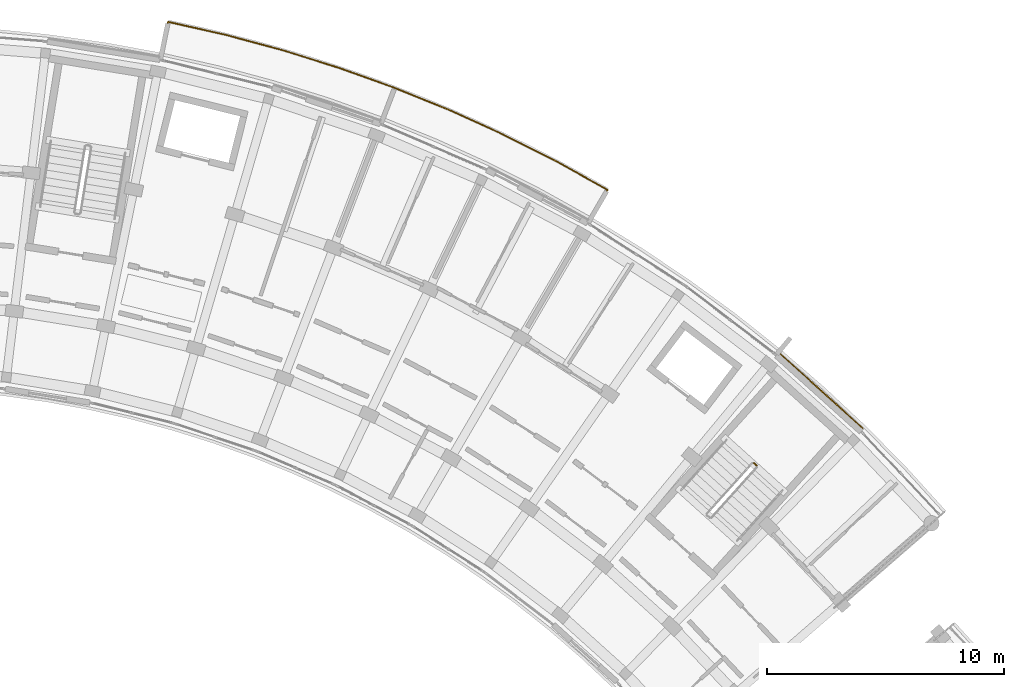
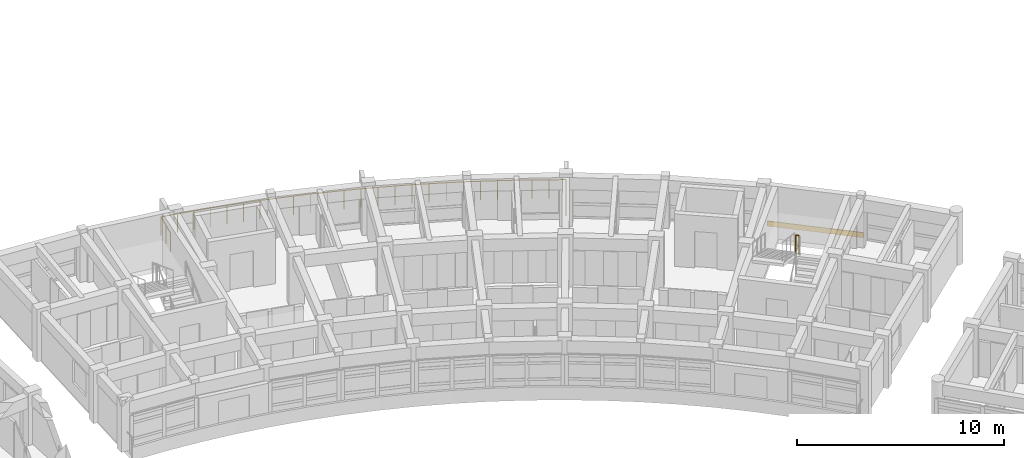
# One storey, part 50 of 50: 2 railings, 1 covering.
"""IFC4 building model written with IfcOpenShell, lengths in metres."""

from ifc_helpers import new_model, si_unit, direction, frame, origin, origin_2d, place, context, subcontext, project, spatial, rectangle, circle, extrude, material, layer, layer_set, type_object, element, save


model = new_model("IFC4")

# Units and contexts
model_context = context("Model", 3, precision=1e-05, world=origin(), true_north=direction((0.0, 1.0)))
body_context = subcontext(model_context, "Body", "Model", "MODEL_VIEW")
ifc_project = project(units=[si_unit("LENGTHUNIT", "METRE"), si_unit("AREAUNIT", "SQUARE_METRE"), si_unit("VOLUMEUNIT", "CUBIC_METRE"), si_unit("PLANEANGLEUNIT", "RADIAN"), si_unit("MASSUNIT", "GRAM", prefix="KILO")], contexts=[model_context])

# Site, building, storey
site_placement = place(None, origin())
site = spatial("IfcSite", under=ifc_project, at=site_placement, CompositionType="ELEMENT")
building_placement = place(site_placement, origin())
building = spatial("IfcBuilding", under=site, at=building_placement, Name="Zimvara Arc Housing Community", CompositionType="ELEMENT")
storey_placement = place(building_placement, frame((0.0, 0.0, 26.699951171875)))
storey = spatial("IfcBuildingStorey", under=building, at=storey_placement, Name="L08", CompositionType="ELEMENT", Elevation=26.699951171875)

# Covering
ifc_material_1 = material(Name="Pale-Gold Anodised Aluminium Cladding", Category="aluminium")
ifc_layer = layer(ifc_material_1, 0.0400390625)
ifc_layer_set = layer_set([ifc_layer], Name="Pale-Gold Anodised Aluminium Cladding")
covering_type = type_object("IfcCoveringType", Name="CLD-GOLD-01", PredefinedType="CLADDING", material=ifc_layer_set)
covering_placement = place(storey_placement, frame((84.7841796875, 88.7158203125, 0.01025390625), z_axis=(0.0, 0.0, 1.0), x_axis=(0.74337718344, -0.668872456557, 0.0)))
element("IfcCovering", 1, at=covering_placement, inside=storey, type_object=covering_type, Name="cld:blkB:L08:out:b8", PredefinedType="CLADDING", context=body_context, shape_type="SweptSolid", body=[
    extrude(rectangle(XDim=4.748779296875, YDim=0.0400390625, at=origin_2d()), origin(), (0.0, 0.0, 1.0), 0.300048828125),
])

# Railings
ifc_material_2 = material(Name="Anodised Aluminium AW-6063", Category="aluminium")
railing_type = type_object("IfcRailingType", Name="RLG-BAL-1120", PredefinedType="BALUSTRADE", material=ifc_material_2)
railing_1_placement = place(storey_placement, frame((56.933349609375, 102.842041015625, 0.0)))
element("IfcRailing", 2, at=railing_1_placement, inside=storey, type_object=railing_type, Name="rlg:blkB:L08:bal_out_guard", PredefinedType="BALUSTRADE", context=body_context, shape_type="SweptSolid", body=[
    extrude(circle(Radius=0.02392578125, at=origin_2d()), frame((0.0, 0.0, 1.09619140625), z_axis=(0.200457825929, 0.979702332356, 0.0), x_axis=(-0.979702332356, 0.200457825929, 0.0)), (0.0, 0.0, 1.0), 1.469970703125),
    extrude(circle(Radius=0.02392578125, at=origin_2d()), frame((0.294677734375, 1.440185546875, 1.09619140625), z_axis=(0.975422665062, -0.220342062447, 0.0), x_axis=(0.220342062447, 0.975422665062, 0.0)), (0.0, 0.0, 1.0), 2.491943359375),
    extrude(circle(Radius=0.02392578125, at=origin_2d()), frame((2.725341796875, 0.89111328125, 1.09619140625), z_axis=(0.965604406451, -0.260015634611, 0.0), x_axis=(0.260015634611, 0.965604406451, 0.0)), (0.0, 0.0, 1.0), 2.491943359375),
    extrude(circle(Radius=0.02392578125, at=origin_2d()), frame((5.131591796875, 0.2431640625, 1.09619140625), z_axis=(0.95418488811, -0.299217645373, 0.0), x_axis=(0.299217645373, 0.95418488811, 0.0)), (0.0, 0.0, 1.0), 2.491943359375),
    extrude(circle(Radius=0.02392578125, at=origin_2d()), frame((7.50927734375, -0.50244140625, 1.09619140625), z_axis=(0.94118428576, -0.337893681856, 0.0), x_axis=(0.337893681856, 0.94118428576, 0.0)), (0.0, 0.0, 1.0), 2.491943359375),
    extrude(circle(Radius=0.02392578125, at=origin_2d()), frame((9.854736328125, -1.344482421875, 1.09619140625), z_axis=(0.926613832847, -0.37601436778, 0.0), x_axis=(0.37601436778, 0.926613832847, 0.0)), (0.0, 0.0, 1.0), 2.491943359375),
    extrude(circle(Radius=0.02392578125, at=origin_2d()), frame((12.163818359375, -2.281494140625, 1.09619140625), z_axis=(0.910443630497, -0.413633165604, 0.0), x_axis=(0.413633165604, 0.910443630497, 0.0)), (0.0, 0.0, 1.0), 2.491943359375),
    extrude(circle(Radius=0.02392578125, at=origin_2d()), frame((14.4326171875, -3.312255859375, 1.09619140625), z_axis=(0.892834384016, -0.450385127107, 0.0), x_axis=(0.450385127107, 0.892834384016, 0.0)), (0.0, 0.0, 1.0), 2.491943359375),
    extrude(circle(Radius=0.02392578125, at=origin_2d()), frame((16.657470703125, -4.4345703125, 1.09619140625), z_axis=(0.873653060707, -0.486549411178, 0.0), x_axis=(0.486549411178, 0.873653060707, 0.0)), (0.0, 0.0, 1.0), 2.491943359375),
    extrude(circle(Radius=0.02392578125, at=origin_2d()), frame((18.83447265625, -5.64697265625, 1.09619140625), z_axis=(-0.50427373705, -0.863543859987, 0.0), x_axis=(0.863543859987, -0.50427373705, 0.0)), (0.0, 0.0, 1.0), 1.469970703125),
    extrude(circle(Radius=0.02099609375, at=origin_2d()), origin(), (0.0, 0.0, 1.0), 1.072021484375),
    extrude(circle(Radius=0.02099609375, at=origin_2d()), frame((0.1474609375, 0.72021484375, 0.0)), (0.0, 0.0, 1.0), 1.072021484375),
    extrude(circle(Radius=0.02099609375, at=origin_2d()), frame((0.294677734375, 1.440185546875, 0.0)), (0.0, 0.0, 1.0), 1.072021484375),
    extrude(circle(Radius=0.02099609375, at=origin_2d()), frame((1.10498046875, 1.257080078125, 0.0)), (0.0, 0.0, 1.0), 1.072021484375),
    extrude(circle(Radius=0.02099609375, at=origin_2d()), frame((1.9150390625, 1.07421875, 0.0)), (0.0, 0.0, 1.0), 1.072021484375),
    extrude(circle(Radius=0.02099609375, at=origin_2d()), frame((2.725341796875, 0.89111328125, 0.0)), (0.0, 0.0, 1.0), 1.072021484375),
    extrude(circle(Radius=0.02099609375, at=origin_2d()), frame((3.52734375, 0.675048828125, 0.0)), (0.0, 0.0, 1.0), 1.072021484375),
    extrude(circle(Radius=0.02099609375, at=origin_2d()), frame((4.32958984375, 0.459228515625, 0.0)), (0.0, 0.0, 1.0), 1.072021484375),
    extrude(circle(Radius=0.02099609375, at=origin_2d()), frame((5.131591796875, 0.2431640625, 0.0)), (0.0, 0.0, 1.0), 1.072021484375),
    extrude(circle(Radius=0.02099609375, at=origin_2d()), frame((5.924072265625, -0.00537109375, 0.0)), (0.0, 0.0, 1.0), 1.072021484375),
    extrude(circle(Radius=0.02099609375, at=origin_2d()), frame((6.716796875, -0.25390625, 0.0)), (0.0, 0.0, 1.0), 1.072021484375),
    extrude(circle(Radius=0.02099609375, at=origin_2d()), frame((7.50927734375, -0.50244140625, 0.0)), (0.0, 0.0, 1.0), 1.072021484375),
    extrude(circle(Radius=0.02099609375, at=origin_2d()), frame((8.291015625, -0.783203125, 0.0)), (0.0, 0.0, 1.0), 1.072021484375),
    extrude(circle(Radius=0.02099609375, at=origin_2d()), frame((9.072998046875, -1.063720703125, 0.0)), (0.0, 0.0, 1.0), 1.072021484375),
    extrude(circle(Radius=0.02099609375, at=origin_2d()), frame((9.854736328125, -1.344482421875, 0.0)), (0.0, 0.0, 1.0), 1.072021484375),
    extrude(circle(Radius=0.02099609375, at=origin_2d()), frame((10.62451171875, -1.65673828125, 0.0)), (0.0, 0.0, 1.0), 1.072021484375),
    extrude(circle(Radius=0.02099609375, at=origin_2d()), frame((11.39404296875, -1.96923828125, 0.0)), (0.0, 0.0, 1.0), 1.072021484375),
    extrude(circle(Radius=0.02099609375, at=origin_2d()), frame((12.163818359375, -2.281494140625, 0.0)), (0.0, 0.0, 1.0), 1.072021484375),
    extrude(circle(Radius=0.02099609375, at=origin_2d()), frame((12.920166015625, -2.625, 0.0)), (0.0, 0.0, 1.0), 1.072021484375),
    extrude(circle(Radius=0.02099609375, at=origin_2d()), frame((13.67626953125, -2.96875, 0.0)), (0.0, 0.0, 1.0), 1.072021484375),
    extrude(circle(Radius=0.02099609375, at=origin_2d()), frame((14.4326171875, -3.312255859375, 0.0)), (0.0, 0.0, 1.0), 1.072021484375),
    extrude(circle(Radius=0.02099609375, at=origin_2d()), frame((15.17431640625, -3.686279296875, 0.0)), (0.0, 0.0, 1.0), 1.072021484375),
    extrude(circle(Radius=0.02099609375, at=origin_2d()), frame((15.915771484375, -4.060546875, 0.0)), (0.0, 0.0, 1.0), 1.072021484375),
    extrude(circle(Radius=0.02099609375, at=origin_2d()), frame((16.657470703125, -4.4345703125, 0.0)), (0.0, 0.0, 1.0), 1.072021484375),
    extrude(circle(Radius=0.02099609375, at=origin_2d()), frame((17.383056640625, -4.838623046875, 0.0)), (0.0, 0.0, 1.0), 1.072021484375),
    extrude(circle(Radius=0.02099609375, at=origin_2d()), frame((18.10888671875, -5.242919921875, 0.0)), (0.0, 0.0, 1.0), 1.072021484375),
    extrude(circle(Radius=0.02099609375, at=origin_2d()), frame((18.83447265625, -5.64697265625, 0.0)), (0.0, 0.0, 1.0), 1.072021484375),
    extrude(circle(Radius=0.02099609375, at=origin_2d()), frame((18.4638671875, -6.28173828125, 0.0)), (0.0, 0.0, 1.0), 1.072021484375),
    extrude(circle(Radius=0.02099609375, at=origin_2d()), frame((18.09326171875, -6.916259765625, 0.0)), (0.0, 0.0, 1.0), 1.072021484375),
])
railing_2_placement = place(storey_placement, frame((82.05615234375, 85.564208984375, 1.550048828125)))
element("IfcRailing", 3, at=railing_2_placement, inside=storey, type_object=railing_type, Name="L08 ST-B2 stair guard 2", PredefinedType="BALUSTRADE", context=body_context, shape_type="SweptSolid", body=[
    extrude(circle(Radius=0.02392578125, at=origin_2d()), frame((0.0, 0.0, 1.09619140625), z_axis=(-0.744203407529, 0.667953058397, 0.0), x_axis=(-0.667953058397, -0.744203407529, 0.0)), (0.0, 0.0, 1.0), 0.16015625),
    extrude(circle(Radius=0.02099609375, at=origin_2d()), origin(), (0.0, 0.0, 1.0), 1.072021484375),
    extrude(circle(Radius=0.02099609375, at=origin_2d()), frame((-0.119140625, 0.10693359375, 0.0)), (0.0, 0.0, 1.0), 1.072021484375),
])

save(model, "model.ifc")
